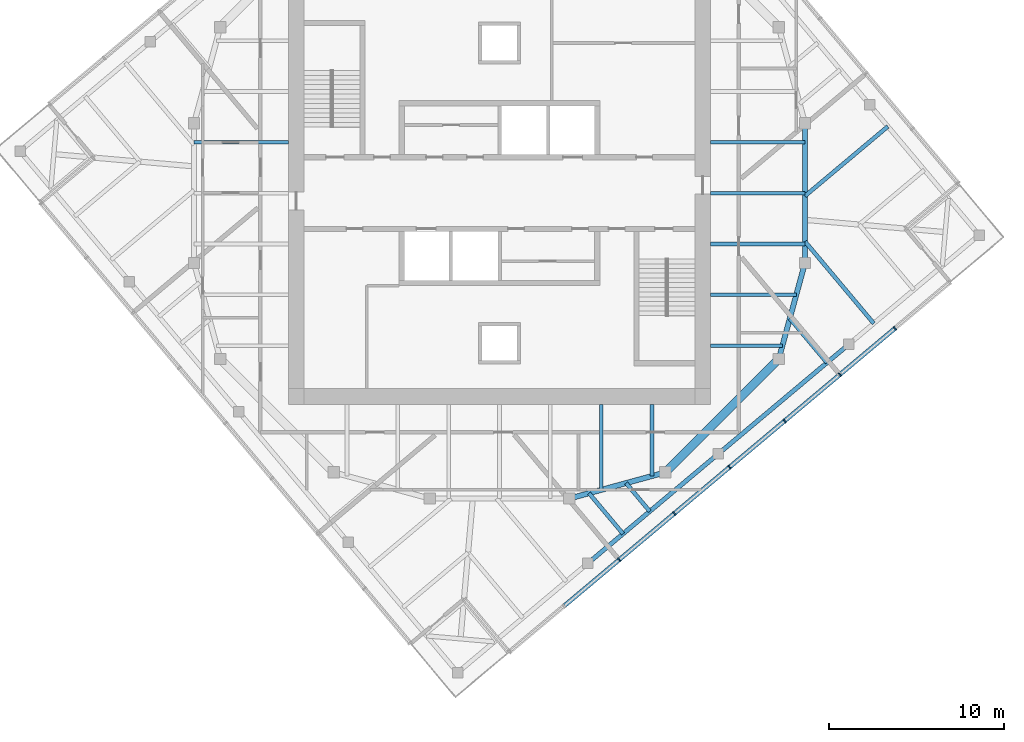
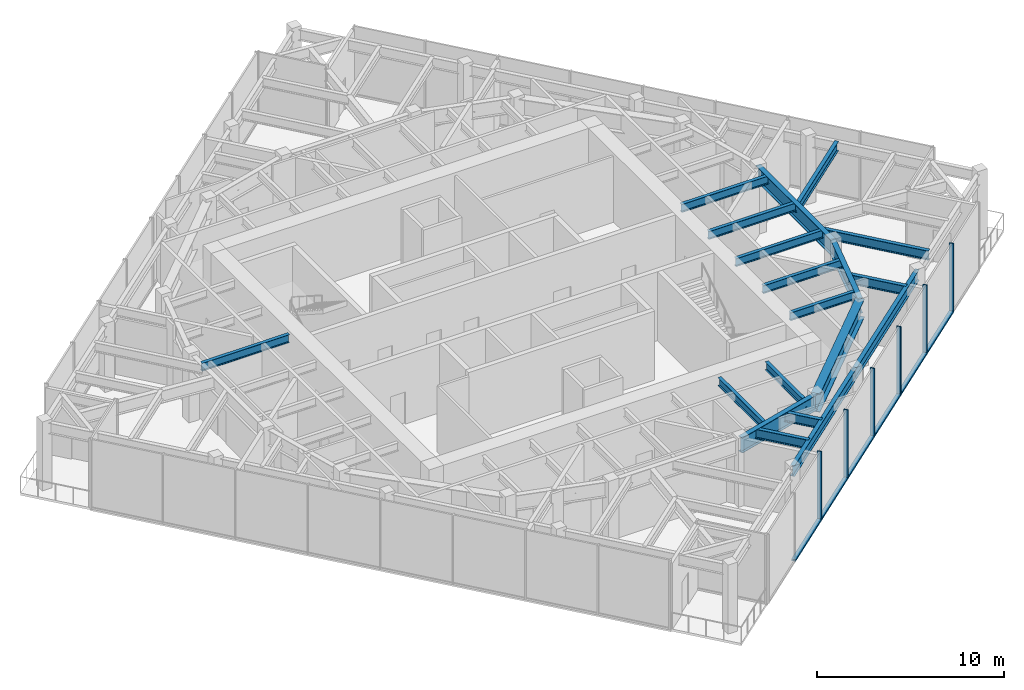
# One storey, part 3 of 11: 19 beams, 12 members, 1 element without a shape of its own.
"""IFC4 building model written with IfcOpenShell, lengths in metres."""

from ifc_helpers import new_model, si_unit, direction, frame, origin, origin_2d, place, context, subcontext, project, spatial, rectangle, i_section, extrude, material, material_profile, profile_set, type_object, element, aggregate, save


model = new_model("IFC4")

# Units and contexts
model_context = context("Model", 3, precision=1e-05, world=origin(), true_north=direction((0.0, 1.0)))
body_context = subcontext(model_context, "Body", "Model", "MODEL_VIEW")
ifc_project = project(units=[si_unit("LENGTHUNIT", "METRE"), si_unit("AREAUNIT", "SQUARE_METRE"), si_unit("VOLUMEUNIT", "CUBIC_METRE"), si_unit("PLANEANGLEUNIT", "RADIAN"), si_unit("MASSUNIT", "GRAM", prefix="KILO")], contexts=[model_context])

# Site, building, storey
site_placement = place(None, origin())
site = spatial("IfcSite", under=ifc_project, at=site_placement, CompositionType="ELEMENT")
building_placement = place(site_placement, origin())
building = spatial("IfcBuilding", under=site, at=building_placement, Name="Torsade Residences", CompositionType="ELEMENT")
storey_placement = place(building_placement, frame((0.0, 0.0, 299.800048828125)))
storey = spatial("IfcBuildingStorey", under=building, at=storey_placement, Name="L83", CompositionType="ELEMENT", Elevation=299.800048828125)

# Beams
ifc_material_1 = material(Name="Steel grade 300", Category="steel")
ifc_material_profile_1 = material_profile(ifc_material_1, i_section(OverallWidth=0.25, OverallDepth=0.699951171875, WebThickness=0.010009765625, FlangeThickness=0.02001953125, at=origin_2d()), Name="700WB130")
ifc_profile_set_1 = profile_set([ifc_material_profile_1], Name="Steel grade 300")
beam_type_1 = type_object("IfcBeamType", Name="EDGE BEAM 700WB130", PredefinedType="SPANDREL", material=ifc_profile_set_1)
for number, where, z_axis, x_axis, name in (
    (1, (45.0654296875, 8.794921875, 3.949951171875), (0.766051532934, 0.642779160279, 0.0), (-0.642779160279, 0.766051532934, 0.0), "Edge beam 02 L84"),
    (2, (52.534423828125, 15.06201171875, 3.949951171875), (0.766028856906, 0.642806184154, 0.0), (-0.642806184154, 0.766028856906, 0.0), "Edge beam 03 L84"),
):
    element("IfcBeam", number, at=place(storey_placement, frame(where, z_axis=z_axis, x_axis=x_axis)), inside=storey, type_object=beam_type_1, Name=name, PredefinedType="SPANDREL", context=body_context, shape_type="SweptSolid", body=[
        extrude(i_section(OverallWidth=0.25, OverallDepth=0.699951171875, WebThickness=0.010009765625, FlangeThickness=0.02001953125, at=origin_2d()), origin(), (0.0, 0.0, 1.0), 9.75),
    ])
ifc_material_2 = material(Name="Steel grade 300", Category="steel")
ifc_material_profile_2 = material_profile(ifc_material_2, i_section(OverallWidth=0.208984375, OverallDepth=0.528076171875, WebThickness=0.009521484375, FlangeThickness=0.01318359375, FilletRadius=0.013916015625, at=origin_2d()), Name="530UB82.0")
ifc_profile_set_2 = profile_set([ifc_material_profile_2], Name="Steel grade 300")
beam_type_2 = type_object("IfcBeamType", Name="INNER FLOOR BEAM 530UB82.0", PredefinedType="JOIST", material=ifc_profile_set_2)
beam_1_placement = place(storey_placement, frame((48.737548828125, 17.89990234375, 4.035888671875), z_axis=(0.0, -1.0, 0.0), x_axis=(1.0, 0.0, 0.0)))
element("IfcBeam", 3, at=beam_1_placement, inside=storey, type_object=beam_type_2, Name="Inner floor beam IS01 L84", PredefinedType="JOIST", context=body_context, shape_type="SweptSolid", body=[
    extrude(i_section(OverallWidth=0.208984375, OverallDepth=0.528076171875, WebThickness=0.009521484375, FlangeThickness=0.01318359375, FilletRadius=0.013916015625, at=origin_2d()), origin(), (0.0, 0.0, 1.0), 4.10791015625),
])
beam_2_placement = place(storey_placement, frame((45.824951171875, 17.89990234375, 4.035888671875), z_axis=(0.0, -1.0, 0.0), x_axis=(1.0, 0.0, 0.0)))
element("IfcBeam", 4, at=beam_2_placement, inside=storey, type_object=beam_type_2, Name="Inner floor beam IS02 L84", PredefinedType="JOIST", context=body_context, shape_type="SweptSolid", body=[
    extrude(i_section(OverallWidth=0.208984375, OverallDepth=0.528076171875, WebThickness=0.009521484375, FlangeThickness=0.01318359375, FilletRadius=0.013916015625, at=origin_2d()), origin(), (0.0, 0.0, 1.0), 4.902099609375),
])
beam_3_placement = place(storey_placement, frame((52.10009765625, 21.262451171875, 4.035888671875), z_axis=(1.0, 0.0, 0.0), x_axis=(0.0, 1.0, 0.0)))
element("IfcBeam", 5, at=beam_3_placement, inside=storey, type_object=beam_type_2, Name="Inner floor beam IE01 L84", PredefinedType="JOIST", context=body_context, shape_type="SweptSolid", body=[
    extrude(i_section(OverallWidth=0.208984375, OverallDepth=0.528076171875, WebThickness=0.009521484375, FlangeThickness=0.01318359375, FilletRadius=0.013916015625, at=origin_2d()), origin(), (0.0, 0.0, 1.0), 4.10791015625),
])
beam_4_placement = place(storey_placement, frame((52.10009765625, 24.175048828125, 4.035888671875), z_axis=(1.0, 0.0, 0.0), x_axis=(0.0, 1.0, 0.0)))
element("IfcBeam", 6, at=beam_4_placement, inside=storey, type_object=beam_type_2, Name="Inner floor beam IE02 L84", PredefinedType="JOIST", context=body_context, shape_type="SweptSolid", body=[
    extrude(i_section(OverallWidth=0.208984375, OverallDepth=0.528076171875, WebThickness=0.009521484375, FlangeThickness=0.01318359375, FilletRadius=0.013916015625, at=origin_2d()), origin(), (0.0, 0.0, 1.0), 4.902099609375),
])
for number, where, z_axis, x_axis, name in (
    (7, (52.10009765625, 27.08740234375, 4.035888671875), (1.0, 0.0, 0.0), (0.0, 1.0, 0.0), "Inner floor beam IE03 L84"),
    (8, (52.10009765625, 30.0, 4.035888671875), (1.0, 0.0, 0.0), (0.0, 1.0, 0.0), "Inner floor beam IE04 L84"),
    (9, (52.10009765625, 32.91259765625, 4.035888671875), (1.0, 0.0, 0.0), (0.0, 1.0, 0.0), "Inner floor beam IE05 L84"),
    (10, (27.89990234375, 32.91259765625, 4.035888671875), (-1.0, 0.0, 0.0), (0.0, -1.0, 0.0), "Inner floor beam IW03 L84"),
):
    element("IfcBeam", number, at=place(storey_placement, frame(where, z_axis=z_axis, x_axis=x_axis)), inside=storey, type_object=beam_type_2, Name=name, PredefinedType="JOIST", context=body_context, shape_type="SweptSolid", body=[
        extrude(i_section(OverallWidth=0.208984375, OverallDepth=0.528076171875, WebThickness=0.009521484375, FlangeThickness=0.01318359375, FilletRadius=0.013916015625, at=origin_2d()), origin(), (0.0, 0.0, 1.0), 5.39990234375),
    ])

# Curtain wall, members
ifc_material_3 = material(Name="Aluminium and glass", Category="aluminium")
curtain_wall_type = type_object("IfcCurtainWallType", Name="PLANT LEVEL LOUVRED CURTAIN WALL", PredefinedType="NOTDEFINED", material=ifc_material_3)
curtain_wall_placement = place(storey_placement, origin())
curtain_wall = element("IfcCurtainWall", 11, at=curtain_wall_placement, inside=storey, type_object=curtain_wall_type, Name="Curtain wall L83 face 1", PredefinedType="NOTDEFINED")
ifc_material_4 = material(Name="Aluminium mullion", Category="aluminium")
ifc_material_profile_3 = material_profile(ifc_material_4, rectangle(XDim=0.25, YDim=0.080078125, at=origin_2d()), Name="LOUVRE WALL MULLION 250x80")
ifc_profile_set_3 = profile_set([ifc_material_profile_3], Name="Aluminium mullion")
member_type_1 = type_object("IfcMemberType", Name="LOUVRE WALL MULLION 250x80", PredefinedType="MULLION", material=ifc_profile_set_3)
member_1_placement = place(storey_placement, frame((46.857177734375, 8.9931640625, 0.0), z_axis=(0.0, 0.0, 1.0), x_axis=(-0.642787616853, 0.766044437106, 0.0)))
member_1 = element("IfcMember", 12, at=member_1_placement, type_object=member_type_1, Name="Mullion 3", PredefinedType="MULLION", context=body_context, shape_type="SweptSolid", body=[
    extrude(rectangle(XDim=0.25, YDim=0.080078125, at=origin_2d()), origin(), (0.0, 0.0, 1.0), 4.5),
])
member_2_placement = place(storey_placement, frame((50.017333984375, 11.64453125, 0.0), z_axis=(0.0, 0.0, 1.0), x_axis=(-0.642787616853, 0.766044437106, 0.0)))
member_2 = element("IfcMember", 13, at=member_2_placement, type_object=member_type_1, Name="Mullion 4", PredefinedType="MULLION", context=body_context, shape_type="SweptSolid", body=[
    extrude(rectangle(XDim=0.25, YDim=0.080078125, at=origin_2d()), origin(), (0.0, 0.0, 1.0), 4.5),
])
member_3_placement = place(storey_placement, frame((53.17724609375, 14.296142578125, 0.0), z_axis=(0.0, 0.0, 1.0), x_axis=(-0.642787616853, 0.766044437106, 0.0)))
member_3 = element("IfcMember", 14, at=member_3_placement, type_object=member_type_1, Name="Mullion 5", PredefinedType="MULLION", context=body_context, shape_type="SweptSolid", body=[
    extrude(rectangle(XDim=0.25, YDim=0.080078125, at=origin_2d()), origin(), (0.0, 0.0, 1.0), 4.5),
])
member_4_placement = place(storey_placement, frame((56.337158203125, 16.947509765625, 0.0), z_axis=(0.0, 0.0, 1.0), x_axis=(-0.642787616853, 0.766044437106, 0.0)))
member_4 = element("IfcMember", 15, at=member_4_placement, type_object=member_type_1, Name="Mullion 6", PredefinedType="MULLION", context=body_context, shape_type="SweptSolid", body=[
    extrude(rectangle(XDim=0.25, YDim=0.080078125, at=origin_2d()), origin(), (0.0, 0.0, 1.0), 4.5),
])
member_5_placement = place(storey_placement, frame((59.4970703125, 19.59912109375, 0.0), z_axis=(0.0, 0.0, 1.0), x_axis=(-0.642787616853, 0.766044437106, 0.0)))
member_5 = element("IfcMember", 16, at=member_5_placement, type_object=member_type_1, Name="Mullion 7", PredefinedType="MULLION", context=body_context, shape_type="SweptSolid", body=[
    extrude(rectangle(XDim=0.25, YDim=0.080078125, at=origin_2d()), origin(), (0.0, 0.0, 1.0), 4.5),
])
member_6_placement = place(storey_placement, frame((62.656982421875, 22.25048828125, 0.0), z_axis=(0.0, 0.0, 1.0), x_axis=(-0.642787616853, 0.766044437106, 0.0)))
member_6 = element("IfcMember", 17, at=member_6_placement, type_object=member_type_1, Name="Mullion 8", PredefinedType="MULLION", context=body_context, shape_type="SweptSolid", body=[
    extrude(rectangle(XDim=0.25, YDim=0.080078125, at=origin_2d()), origin(), (0.0, 0.0, 1.0), 4.5),
])
ifc_material_5 = material(Name="Aluminium transom", Category="aluminium")
ifc_material_profile_4 = material_profile(ifc_material_5, rectangle(XDim=0.25, YDim=0.110107421875, at=origin_2d()), Name="LOUVRE WALL TRANSOM 250x110")
ifc_profile_set_4 = profile_set([ifc_material_profile_4], Name="Aluminium transom")
member_type_2 = type_object("IfcMemberType", Name="LOUVRE WALL TRANSOM 250x110", PredefinedType="USERDEFINED", material=ifc_profile_set_4)
member_7_placement = place(storey_placement, frame((43.72802734375, 6.3671875, 0.054931640625), z_axis=(0.766040060023, 0.642792833221, 0.0), x_axis=(-0.642792833221, 0.766040060023, 0.0)))
member_7 = element("IfcMember", 18, at=member_7_placement, type_object=member_type_2, Name="Transom 2.1", ObjectType="TRANSOM", PredefinedType="USERDEFINED", context=body_context, shape_type="SweptSolid", body=[
    extrude(rectangle(XDim=0.25, YDim=0.110107421875, at=origin_2d()), origin(), (0.0, 0.0, 1.0), 4.044921875),
])
member_8_placement = place(storey_placement, frame((46.887939453125, 9.018798828125, 0.054931640625), z_axis=(0.766040060023, 0.642792833221, 0.0), x_axis=(-0.642792833221, 0.766040060023, 0.0)))
member_8 = element("IfcMember", 19, at=member_8_placement, type_object=member_type_2, Name="Transom 3.1", ObjectType="TRANSOM", PredefinedType="USERDEFINED", context=body_context, shape_type="SweptSolid", body=[
    extrude(rectangle(XDim=0.25, YDim=0.110107421875, at=origin_2d()), origin(), (0.0, 0.0, 1.0), 4.044921875),
])
member_9_placement = place(storey_placement, frame((50.0478515625, 11.67041015625, 0.054931640625), z_axis=(0.766069780023, 0.642757413132, 0.0), x_axis=(-0.642757413132, 0.766069780023, 0.0)))
member_9 = element("IfcMember", 20, at=member_9_placement, type_object=member_type_2, Name="Transom 4.1", ObjectType="TRANSOM", PredefinedType="USERDEFINED", context=body_context, shape_type="SweptSolid", body=[
    extrude(rectangle(XDim=0.25, YDim=0.110107421875, at=origin_2d()), origin(), (0.0, 0.0, 1.0), 4.044921875),
])
member_10_placement = place(storey_placement, frame((53.207763671875, 14.32177734375, 0.054931640625), z_axis=(0.766040060023, 0.642792833221, 0.0), x_axis=(-0.642792833221, 0.766040060023, 0.0)))
member_10 = element("IfcMember", 21, at=member_10_placement, type_object=member_type_2, Name="Transom 5.1", ObjectType="TRANSOM", PredefinedType="USERDEFINED", context=body_context, shape_type="SweptSolid", body=[
    extrude(rectangle(XDim=0.25, YDim=0.110107421875, at=origin_2d()), origin(), (0.0, 0.0, 1.0), 4.044921875),
])
member_11_placement = place(storey_placement, frame((56.36767578125, 16.973388671875, 0.054931640625), z_axis=(0.766040060023, 0.642792833221, 0.0), x_axis=(-0.642792833221, 0.766040060023, 0.0)))
member_11 = element("IfcMember", 22, at=member_11_placement, type_object=member_type_2, Name="Transom 6.1", ObjectType="TRANSOM", PredefinedType="USERDEFINED", context=body_context, shape_type="SweptSolid", body=[
    extrude(rectangle(XDim=0.25, YDim=0.110107421875, at=origin_2d()), origin(), (0.0, 0.0, 1.0), 4.044921875),
])
member_12_placement = place(storey_placement, frame((59.527587890625, 19.624755859375, 0.054931640625), z_axis=(0.766040060023, 0.642792833221, 0.0), x_axis=(-0.642792833221, 0.766040060023, 0.0)))
member_12 = element("IfcMember", 23, at=member_12_placement, type_object=member_type_2, Name="Transom 7.1", ObjectType="TRANSOM", PredefinedType="USERDEFINED", context=body_context, shape_type="SweptSolid", body=[
    extrude(rectangle(XDim=0.25, YDim=0.110107421875, at=origin_2d()), origin(), (0.0, 0.0, 1.0), 4.044921875),
])
aggregate(curtain_wall, [member_1, member_2, member_3, member_4, member_5, member_6, member_7, member_8, member_9, member_10, member_11, member_12])

# Beams
ifc_material_6 = material(Name="Steel grade 300", Category="steel")
ifc_material_profile_5 = material_profile(ifc_material_6, i_section(OverallWidth=0.5, OverallDepth=1.199951171875, WebThickness=0.01611328125, FlangeThickness=0.0400390625, at=origin_2d()), Name="1200WB455")
ifc_profile_set_5 = profile_set([ifc_material_profile_5], Name="Steel grade 300")
beam_type_3 = type_object("IfcBeamType", Name="RING CORNER GIRDER 1200WB455", PredefinedType="BEAM", material=ifc_profile_set_5)
beam_5_placement = place(storey_placement, frame((49.5, 14.0, 3.699951171875), z_axis=(0.707106781187, 0.707106781187, 0.0), x_axis=(-0.707106781187, 0.707106781187, 0.0)))
element("IfcBeam", 24, at=beam_5_placement, inside=storey, type_object=beam_type_3, Name="Ring girder IR15 L84", PredefinedType="BEAM", context=body_context, shape_type="SweptSolid", body=[
    extrude(i_section(OverallWidth=0.5, OverallDepth=1.199951171875, WebThickness=0.01611328125, FlangeThickness=0.0400390625, at=origin_2d()), origin(), (0.0, 0.0, 1.0), 9.1923828125),
])
ifc_material_7 = material(Name="Steel grade 300", Category="steel")
ifc_material_profile_6 = material_profile(ifc_material_7, i_section(OverallWidth=0.300048828125, OverallDepth=1.0, WebThickness=0.01611328125, FlangeThickness=0.028076171875, at=origin_2d()), Name="1000WB215")
ifc_profile_set_6 = profile_set([ifc_material_profile_6], Name="Steel grade 300")
beam_type_4 = type_object("IfcBeamType", Name="RING GIRDER 1000WB215", PredefinedType="BEAM", material=ifc_profile_set_6)
beam_6_placement = place(storey_placement, frame((57.5, 26.0, 3.800048828125), z_axis=(0.0, 1.0, 0.0), x_axis=(-1.0, 0.0, 0.0)))
element("IfcBeam", 25, at=beam_6_placement, inside=storey, type_object=beam_type_4, Name="Ring girder IR01 L84", PredefinedType="BEAM", context=body_context, shape_type="SweptSolid", body=[
    extrude(i_section(OverallWidth=0.300048828125, OverallDepth=1.0, WebThickness=0.01611328125, FlangeThickness=0.028076171875, at=origin_2d()), origin(), (0.0, 0.0, 1.0), 8.0),
])
for number, where, z_axis, x_axis, name in (
    (26, (44.0, 12.5, 3.800048828125), (0.964763821238, 0.263117405792, 0.0), (-0.263117405792, 0.964763821238, 0.0), "Ring girder IR14 L84"),
    (27, (56.0, 20.5, 3.800048828125), (0.263117405792, 0.964763821238, 0.0), (-0.964763821238, 0.263117405792, 0.0), "Ring girder IR16 L84"),
):
    element("IfcBeam", number, at=place(storey_placement, frame(where, z_axis=z_axis, x_axis=x_axis)), inside=storey, type_object=beam_type_4, Name=name, PredefinedType="BEAM", context=body_context, shape_type="SweptSolid", body=[
        extrude(i_section(OverallWidth=0.300048828125, OverallDepth=1.0, WebThickness=0.01611328125, FlangeThickness=0.028076171875, at=origin_2d()), origin(), (0.0, 0.0, 1.0), 5.700927734375),
    ])
ifc_material_8 = material(Name="Steel grade 300", Category="steel")
ifc_material_profile_7 = material_profile(ifc_material_8, i_section(OverallWidth=0.22900390625, OverallDepth=0.612060546875, WebThickness=0.011962890625, FlangeThickness=0.01953125, FilletRadius=0.013916015625, at=origin_2d()), Name="610UB125")
ifc_profile_set_7 = profile_set([ifc_material_profile_7], Name="Steel grade 300")
beam_type_5 = type_object("IfcBeamType", Name="SECONDARY BEAM 610UB125", PredefinedType="JOIST", material=ifc_profile_set_7)
beam_7_placement = place(storey_placement, frame((47.076171875, 10.482177734375, 3.993896484375), z_axis=(-0.64274480196, 0.766080361029, 0.0), x_axis=(-0.766080361029, -0.64274480196, 0.0)))
element("IfcBeam", 28, at=beam_7_placement, inside=storey, type_object=beam_type_5, Name="Floor beam FS04 L84", PredefinedType="JOIST", context=body_context, shape_type="SweptSolid", body=[
    extrude(i_section(OverallWidth=0.22900390625, OverallDepth=0.612060546875, WebThickness=0.011962890625, FlangeThickness=0.01953125, FilletRadius=0.013916015625, at=origin_2d()), origin(), (0.0, 0.0, 1.0), 3.03466796875),
])
beam_8_placement = place(storey_placement, frame((48.6083984375, 11.767822265625, 3.993896484375), z_axis=(-0.642771977004, 0.766057560226, 0.0), x_axis=(-0.766057560226, -0.642771977004, 0.0)))
element("IfcBeam", 29, at=beam_8_placement, inside=storey, type_object=beam_type_5, Name="Floor beam FS05 L84", PredefinedType="JOIST", context=body_context, shape_type="SweptSolid", body=[
    extrude(i_section(OverallWidth=0.22900390625, OverallDepth=0.612060546875, WebThickness=0.011962890625, FlangeThickness=0.01953125, FilletRadius=0.013916015625, at=origin_2d()), origin(), (0.0, 0.0, 1.0), 2.113037109375),
])
beam_9_placement = place(storey_placement, frame((58.758544921875, 20.28466796875, 3.993896484375), z_axis=(-0.642786956891, 0.766044990879, 0.0), x_axis=(-0.766044990879, -0.642786956891, 0.0)))
element("IfcBeam", 30, at=beam_9_placement, inside=storey, type_object=beam_type_5, Name="Floor beam FS09 L84", PredefinedType="JOIST", context=body_context, shape_type="SweptSolid", body=[
    extrude(i_section(OverallWidth=0.22900390625, OverallDepth=0.612060546875, WebThickness=0.011962890625, FlangeThickness=0.01953125, FilletRadius=0.013916015625, at=origin_2d()), origin(), (0.0, 0.0, 1.0), 3.307861328125),
])
beam_10_placement = place(storey_placement, frame((61.439697265625, 22.534423828125, 3.993896484375), z_axis=(-0.642794037701, 0.766039049329, 0.0), x_axis=(-0.766039049329, -0.642794037701, 0.0)))
element("IfcBeam", 31, at=beam_10_placement, inside=storey, type_object=beam_type_5, Name="Floor beam FS10 L84", PredefinedType="JOIST", context=body_context, shape_type="SweptSolid", body=[
    extrude(i_section(OverallWidth=0.22900390625, OverallDepth=0.612060546875, WebThickness=0.011962890625, FlangeThickness=0.01953125, FilletRadius=0.013916015625, at=origin_2d()), origin(), (0.0, 0.0, 1.0), 6.12890625),
])
beam_11_placement = place(storey_placement, frame((62.24951171875, 33.820556640625, 3.993896484375), z_axis=(-0.766041422722, -0.642791209238, 0.0), x_axis=(0.642791209238, -0.766041422722, 0.0)))
element("IfcBeam", 32, at=beam_11_placement, inside=storey, type_object=beam_type_5, Name="Floor beam FE03 L84", PredefinedType="JOIST", context=body_context, shape_type="SweptSolid", body=[
    extrude(i_section(OverallWidth=0.22900390625, OverallDepth=0.612060546875, WebThickness=0.011962890625, FlangeThickness=0.01953125, FilletRadius=0.013916015625, at=origin_2d()), origin(), (0.0, 0.0, 1.0), 6.199951171875),
])

save(model, "model.ifc")
